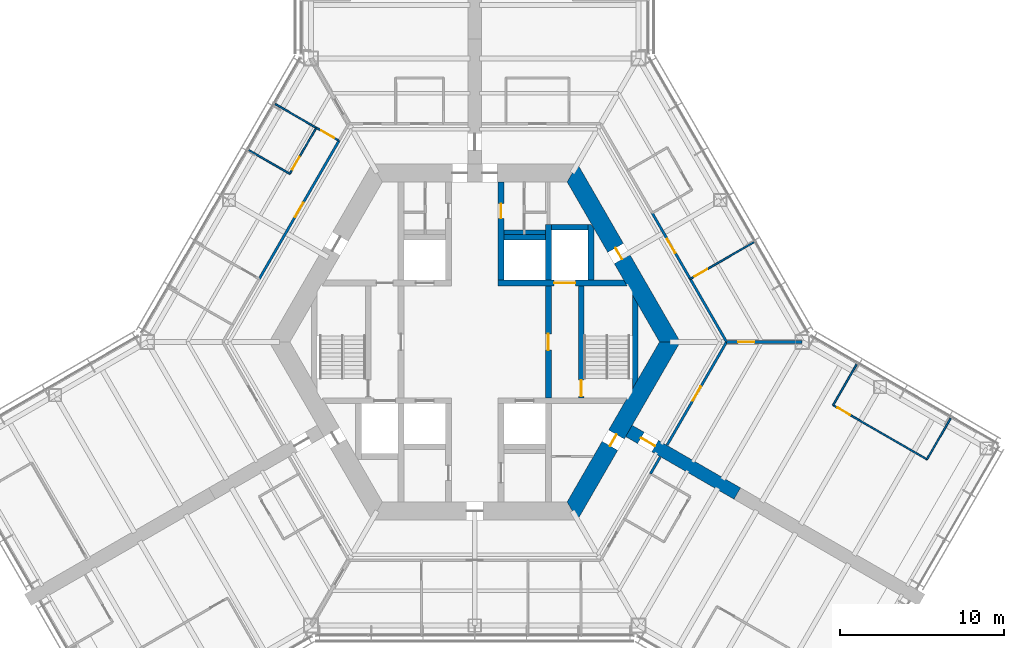
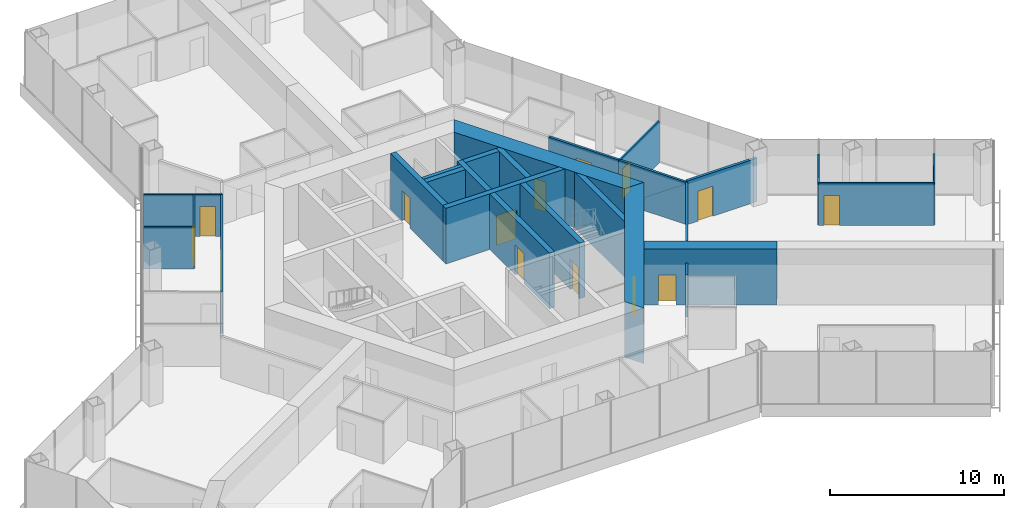
# One storey, part 14 of 19: 27 walls, 15 doors, 15 openings.
"""IFC4 building model written with IfcOpenShell, lengths in metres."""

from ifc_helpers import new_model, si_unit, direction, frame, frame_2d, origin, place, context, subcontext, project, spatial, polyline, rectangle, outline, extrude, material, layer, layer_set, type_object, element, fill, save


model = new_model("IFC4")

# Units and contexts
model_context = context("Model", 3, precision=1e-05, world=origin(), true_north=direction((0.0, 1.0)))
body_context = subcontext(model_context, "Body", "Model", "MODEL_VIEW")
ifc_project = project(units=[si_unit("LENGTHUNIT", "METRE"), si_unit("AREAUNIT", "SQUARE_METRE"), si_unit("VOLUMEUNIT", "CUBIC_METRE"), si_unit("PLANEANGLEUNIT", "RADIAN"), si_unit("MASSUNIT", "GRAM", prefix="KILO")], contexts=[model_context])

# Site, building, storey
site_placement = place(None, origin())
site = spatial("IfcSite", under=ifc_project, at=site_placement, CompositionType="ELEMENT")
building_placement = place(site_placement, origin())
building = spatial("IfcBuilding", under=site, at=building_placement, Name="Kasaneha Research Tower", CompositionType="ELEMENT")
storey_placement = place(building_placement, frame((0.0, 0.0, 92.39990234375)))
storey = spatial("IfcBuildingStorey", under=building, at=storey_placement, Name="L23", CompositionType="ELEMENT", Elevation=92.39990234375)

# Wall, opening, door
ifc_material_1 = material(Name="Concrete Fc80", Category="concrete")
ifc_layer_1 = layer(ifc_material_1, 0.35009765625)
ifc_layer_set_1 = layer_set([ifc_layer_1], Name="Core internal wall 350 Fc80")
wall_type_1 = type_object("IfcWallType", Name="Core internal wall 350 Fc80", PredefinedType="SHEAR", material=ifc_layer_set_1)
wall_1_placement = place(storey_placement, frame((1.425048828125, 3.60009765625, 0.0), z_axis=(0.0, 0.0, 1.0), x_axis=(1.0, 0.0, 0.0)))
wall_1 = element("IfcWall", 1, at=wall_1_placement, inside=storey, type_object=wall_type_1, Name="Core wall W1E L23", PredefinedType="SHEAR", context=body_context, shape_type="SweptSolid", body=[
    extrude(outline(polyline([(0.0, -0.175048828125), (3.425048828125, -0.175048828125), (4.72509765625, -0.175048828125), (7.884765625, -0.175048828125), (7.6826171875, 0.175048828125), (4.72509765625, 0.175048828125), (3.425048828125, 0.175048828125), (0.0, 0.175048828125), (0.0, -0.175048828125)])), origin(), (0.0, 0.0, 1.0), 3.900146484375),
])
opening_1_placement = place(wall_1_placement, frame((3.425048828125, 0.0, 0.0)))
opening_1 = element("IfcOpeningElement", 2, at=opening_1_placement, cuts=wall_1, Name="Opening LD-FL1-L23", PredefinedType="OPENING", context=body_context, shape_type="SweptSolid", body=[
    extrude(rectangle(XDim=1.300048828125, YDim=2.10009765625, at=frame_2d((0.64990234375, 1.050048828125))), frame((0.0, 0.18505859375, 0.0), z_axis=(0.0, -1.0, 0.0), x_axis=(1.0, 0.0, 0.0)), (0.0, 0.0, 1.0), 0.3701171875),
])
ifc_material_2 = material(Name="Steel", Category="steel")
door_type_1 = type_object("IfcDoorType", Name="Lift landing door 1300x2100", OperationType="DOUBLE_DOOR_SLIDING", PredefinedType="DOOR", material=ifc_material_2)
door_1_placement = place(opening_1_placement, origin())
door_1 = element("IfcDoor", 3, at=door_1_placement, inside=storey, type_object=door_type_1, Name="Landing door FL1 LD-FL1-L23", OperationType="DOUBLE_DOOR_SLIDING", OverallHeight=2.10009765625, OverallWidth=1.300048828125, PredefinedType="DOOR", context=body_context, shape_type="SweptSolid", body=[
    extrude(rectangle(XDim=1.300048828125, YDim=2.10009765625, at=frame_2d((0.64990234375, 1.050048828125))), frame((0.0, 0.02490234375, 0.0), z_axis=(0.0, -1.0, 0.0), x_axis=(1.0, 0.0, 0.0)), (0.0, 0.0, 1.0), 0.050048828125),
])
fill(opening_1, door_1)

wall_2_placement = place(storey_placement, frame((1.60009765625, 3.77490234375, 0.0), z_axis=(0.0, 0.0, 1.0), x_axis=(0.0, 1.0, 0.0)))
wall_2 = element("IfcWall", 4, at=wall_2_placement, inside=storey, type_object=wall_type_1, Name="Core wall CNE L23", PredefinedType="SHEAR", context=body_context, shape_type="SweptSolid", body=[
    extrude(rectangle(XDim=6.0, YDim=0.35009765625, at=frame_2d((3.0, 0.0))), origin(), (0.0, 0.0, 1.0), 3.900146484375),
])
opening_2_placement = place(wall_2_placement, frame((3.77490234375, 0.0, 0.0)))
opening_2 = element("IfcOpeningElement", 5, at=opening_2_placement, cuts=wall_2, Name="Opening L23-D14", PredefinedType="OPENING", context=body_context, shape_type="SweptSolid", body=[
    extrude(rectangle(XDim=0.89990234375, YDim=2.10009765625, at=frame_2d((0.449951171875, 1.050048828125))), frame((0.0, 0.18505859375, 0.0), z_axis=(0.0, -1.0, 0.0), x_axis=(1.0, 0.0, 0.0)), (0.0, 0.0, 1.0), 0.3701171875),
])
ifc_material_3 = material(Name="Steel", Category="steel")
door_type_2 = type_object("IfcDoorType", Name="Toilet door FD20 900x2100", OperationType="NOTDEFINED", PredefinedType="DOOR", material=ifc_material_3)
door_2_placement = place(opening_2_placement, origin())
door_2 = element("IfcDoor", 6, at=door_2_placement, inside=storey, type_object=door_type_2, Name="Women's WC door L23-D14", OperationType="SINGLE_SWING_LEFT", OverallHeight=2.10009765625, OverallWidth=0.89990234375, PredefinedType="DOOR", context=body_context, shape_type="SweptSolid", body=[
    extrude(rectangle(XDim=0.89990234375, YDim=2.10009765625, at=frame_2d((0.449951171875, 1.050048828125))), frame((0.0, 0.02490234375, 0.0), z_axis=(0.0, -1.0, 0.0), x_axis=(1.0, 0.0, 0.0)), (0.0, 0.0, 1.0), 0.050048828125),
])
fill(opening_2, door_2)

wall_3_placement = place(storey_placement, frame((4.5, -3.425048828125, 0.0), z_axis=(0.0, 0.0, 1.0), x_axis=(0.0, 1.0, 0.0)))
wall_3 = element("IfcWall", 7, at=wall_3_placement, inside=storey, type_object=wall_type_1, Name="Core wall LBE L23", PredefinedType="SHEAR", context=body_context, shape_type="SweptSolid", body=[
    extrude(rectangle(XDim=6.85009765625, YDim=0.35009765625, at=frame_2d((3.425048828125, 0.0))), origin(), (0.0, 0.0, 1.0), 3.900146484375),
])
opening_3_placement = place(wall_3_placement, frame((2.925048828125, 0.0, 0.0)))
opening_3 = element("IfcOpeningElement", 8, at=opening_3_placement, cuts=wall_3, Name="Opening L23-D08", PredefinedType="OPENING", context=body_context, shape_type="SweptSolid", body=[
    extrude(rectangle(XDim=1.0, YDim=2.10009765625, at=frame_2d((0.5, 1.050048828125))), frame((0.0, 0.18505859375, 0.0), z_axis=(0.0, -1.0, 0.0), x_axis=(1.0, 0.0, 0.0)), (0.0, 0.0, 1.0), 0.3701171875),
])
ifc_material_4 = material(Name="Steel", Category="steel")
door_type_3 = type_object("IfcDoorType", Name="Specified fire door FD60 1000x2100", OperationType="NOTDEFINED", PredefinedType="DOOR", material=ifc_material_4)
door_3_placement = place(opening_3_placement, origin())
door_3 = element("IfcDoor", 9, at=door_3_placement, inside=storey, type_object=door_type_3, Name="Lift lobby door east L23-D08", OperationType="SINGLE_SWING_LEFT", OverallHeight=2.10009765625, OverallWidth=1.0, PredefinedType="DOOR", context=body_context, shape_type="SweptSolid", body=[
    extrude(rectangle(XDim=1.0, YDim=2.10009765625, at=frame_2d((0.5, 1.050048828125))), frame((0.0, 0.02490234375, 0.0), z_axis=(0.0, -1.0, 0.0), x_axis=(1.0, 0.0, 0.0)), (0.0, 0.0, 1.0), 0.050048828125),
])
fill(opening_3, door_3)

wall_4_placement = place(storey_placement, frame((6.5, -3.425048828125, 0.0), z_axis=(0.0, 0.0, 1.0), x_axis=(0.0, 1.0, 0.0)))
wall_4 = element("IfcWall", 10, at=wall_4_placement, inside=storey, type_object=wall_type_1, Name="Core wall ANE L23", PredefinedType="SHEAR", context=body_context, shape_type="SweptSolid", body=[
    extrude(rectangle(XDim=6.85009765625, YDim=0.35009765625, at=frame_2d((3.425048828125, 0.0))), origin(), (0.0, 0.0, 1.0), 3.900146484375),
])
opening_4_placement = place(wall_4_placement, frame((0.10009765625, 0.0, 0.0)))
opening_4 = element("IfcOpeningElement", 11, at=opening_4_placement, cuts=wall_4, Name="Opening L23-D10", PredefinedType="OPENING", context=body_context, shape_type="SweptSolid", body=[
    extrude(rectangle(XDim=1.0, YDim=2.10009765625, at=frame_2d((0.5, 1.050048828125))), frame((0.0, 0.18505859375, 0.0), z_axis=(0.0, -1.0, 0.0), x_axis=(1.0, 0.0, 0.0)), (0.0, 0.0, 1.0), 0.3701171875),
])
door_4_placement = place(opening_4_placement, origin())
door_4 = element("IfcDoor", 12, at=door_4_placement, inside=storey, type_object=door_type_3, Name="Stair 1 door L23-D10", OperationType="SINGLE_SWING_LEFT", OverallHeight=2.10009765625, OverallWidth=1.0, PredefinedType="DOOR", context=body_context, shape_type="SweptSolid", body=[
    extrude(rectangle(XDim=1.0, YDim=2.10009765625, at=frame_2d((0.5, 1.050048828125))), frame((0.0, 0.02490234375, 0.0), z_axis=(0.0, -1.0, 0.0), x_axis=(1.0, 0.0, 0.0)), (0.0, 0.0, 1.0), 0.050048828125),
])
fill(opening_4, door_4)

# Walls
wall_5_placement = place(storey_placement, frame((4.5, 3.77490234375, 0.0), z_axis=(0.0, 0.0, 1.0), x_axis=(0.0, 1.0, 0.0)))
element("IfcWall", 13, at=wall_5_placement, inside=storey, type_object=wall_type_1, Name="Core wall FNE L23", PredefinedType="SHEAR", context=body_context, shape_type="SweptSolid", body=[
    extrude(rectangle(XDim=3.400146484375, YDim=0.35009765625, at=frame_2d((1.7001953125, 0.0))), origin(), (0.0, 0.0, 1.0), 3.900146484375),
])
wall_6_placement = place(storey_placement, frame((1.77490234375, 6.39990234375, 0.0), z_axis=(0.0, 0.0, 1.0), x_axis=(1.0, 0.0, 0.0)))
element("IfcWall", 14, at=wall_6_placement, inside=storey, type_object=wall_type_1, Name="Core wall N3N L23", PredefinedType="SHEAR", context=body_context, shape_type="SweptSolid", body=[
    extrude(rectangle(XDim=2.550048828125, YDim=0.35009765625, at=frame_2d((1.27490234375, 0.0))), origin(), (0.0, 0.0, 1.0), 3.900146484375),
])
wall_7_placement = place(storey_placement, frame((4.675048828125, 7.0, 0.0), z_axis=(0.0, 0.0, 1.0), x_axis=(1.0, 0.0, 0.0)))
element("IfcWall", 15, at=wall_7_placement, inside=storey, type_object=wall_type_1, Name="Core wall F1N L23", PredefinedType="SHEAR", context=body_context, shape_type="SweptSolid", body=[
    extrude(rectangle(XDim=2.25, YDim=0.35009765625, at=frame_2d((1.125, 0.0))), origin(), (0.0, 0.0, 1.0), 3.900146484375),
])
wall_8_placement = place(storey_placement, frame((7.10009765625, 3.77490234375, 0.0), z_axis=(0.0, 0.0, 1.0), x_axis=(0.0, 1.0, 0.0)))
element("IfcWall", 16, at=wall_8_placement, inside=storey, type_object=wall_type_1, Name="Core wall F1E L23", PredefinedType="SHEAR", context=body_context, shape_type="SweptSolid", body=[
    extrude(outline(polyline([(0.0, -0.175048828125), (3.174560546875, -0.175048828125), (3.400146484375, 0.0), (3.400146484375, 0.175048828125), (0.0, 0.175048828125), (0.0, -0.175048828125)])), origin(), (0.0, 0.0, 1.0), 3.900146484375),
])
wall_9_placement = place(storey_placement, frame((9.807861328125, -2.562255859375, 0.0), z_axis=(0.0, 0.0, 1.0), x_axis=(0.0, 1.0, 0.0)))
element("IfcWall", 17, at=wall_9_placement, inside=storey, type_object=wall_type_1, Name="Core wall STE L23", PredefinedType="SHEAR", context=body_context, shape_type="SweptSolid", body=[
    extrude(outline(polyline([(0.30322265625, -0.175048828125), (4.8212890625, -0.175048828125), (5.427734375, 0.175048828125), (-0.30322265625, 0.175048828125), (0.30322265625, -0.175048828125)])), origin(), (0.0, 0.0, 1.0), 3.900146484375),
])

# Wall, opening, door
ifc_material_5 = material(Name="Concrete Fc80", Category="concrete")
ifc_layer_2 = layer(ifc_material_5, 1.10009765625)
ifc_layer_set_2 = layer_set([ifc_layer_2], Name="Core wall 1100 Fc80")
wall_type_2 = type_object("IfcWallType", Name="Core wall 1100 Fc80", PredefinedType="SHEAR", material=ifc_layer_set_2)
wall_10_placement = place(storey_placement, frame((11.92236328125, 0.0, 0.0), z_axis=(0.0, 0.0, 1.0), x_axis=(-0.500004296715, 0.866022923061, 0.0)))
wall_10 = element("IfcWall", 18, at=wall_10_placement, inside=storey, type_object=wall_type_2, Name="Core wall 030 L23", PredefinedType="SHEAR", context=body_context, shape_type="SweptSolid", body=[
    extrude(outline(polyline([(-0.317626953125, -0.550048828125), (5.83544921875, -0.550048828125), (6.635498046875, -0.550048828125), (12.239990234375, -0.550048828125), (11.604736328125, 0.550048828125), (6.635498046875, 0.550048828125), (5.83544921875, 0.550048828125), (0.317626953125, 0.550048828125), (-0.317626953125, -0.550048828125)])), origin(), (0.0, 0.0, 1.0), 3.900146484375),
])
opening_5_placement = place(wall_10_placement, frame((5.83544921875, 0.0, 0.0)))
opening_5 = element("IfcOpeningElement", 19, at=opening_5_placement, cuts=wall_10, Name="Opening L23-D04", PredefinedType="OPENING", context=body_context, shape_type="SweptSolid", body=[
    extrude(rectangle(XDim=0.800048828125, YDim=2.10009765625, at=frame_2d((0.39990234375, 1.050048828125))), frame((0.0, 0.56005859375, 0.0), z_axis=(0.0, -1.0, 0.0), x_axis=(1.0, 0.0, 0.0)), (0.0, 0.0, 1.0), 1.1201171875),
])
ifc_material_6 = material(Name="Steel", Category="steel")
door_type_4 = type_object("IfcDoorType", Name="Riser access door FD60 800x2100", OperationType="NOTDEFINED", PredefinedType="DOOR", material=ifc_material_6)
door_5_placement = place(opening_5_placement, origin())
door_5 = element("IfcDoor", 20, at=door_5_placement, inside=storey, type_object=door_type_4, Name="Pipe riser door L23-D04", OperationType="SINGLE_SWING_RIGHT", OverallHeight=2.10009765625, OverallWidth=0.800048828125, PredefinedType="DOOR", context=body_context, shape_type="SweptSolid", body=[
    extrude(rectangle(XDim=0.800048828125, YDim=2.10009765625, at=frame_2d((0.39990234375, 1.050048828125))), frame((0.0, 0.02490234375, 0.0), z_axis=(0.0, -1.0, 0.0), x_axis=(1.0, 0.0, 0.0)), (0.0, 0.0, 1.0), 0.050048828125),
])
fill(opening_5, door_5)

wall_11_placement = place(storey_placement, frame((5.961181640625, -10.324951171875, 0.0), z_axis=(0.0, 0.0, 1.0), x_axis=(0.500004296715, 0.866022923061, 0.0)))
wall_11 = element("IfcWall", 21, at=wall_11_placement, inside=storey, type_object=wall_type_2, Name="Core wall 330 L23", PredefinedType="SHEAR", context=body_context, shape_type="SweptSolid", body=[
    extrude(outline(polyline([(-0.317626953125, -0.550048828125), (4.593994140625, -0.550048828125), (5.39404296875, -0.550048828125), (12.239990234375, -0.550048828125), (11.604736328125, 0.550048828125), (5.39404296875, 0.550048828125), (4.593994140625, 0.550048828125), (0.317626953125, 0.550048828125), (-0.317626953125, -0.550048828125)])), origin(), (0.0, 0.0, 1.0), 3.900146484375),
])
opening_6_placement = place(wall_11_placement, frame((4.593994140625, 0.0, 0.0)))
opening_6 = element("IfcOpeningElement", 22, at=opening_6_placement, cuts=wall_11, Name="Opening L23-D05", PredefinedType="OPENING", context=body_context, shape_type="SweptSolid", body=[
    extrude(rectangle(XDim=0.800048828125, YDim=2.10009765625, at=frame_2d((0.39990234375, 1.050048828125))), frame((0.0, 0.56005859375, 0.0), z_axis=(0.0, -1.0, 0.0), x_axis=(1.0, 0.0, 0.0)), (0.0, 0.0, 1.0), 1.1201171875),
])
door_6_placement = place(opening_6_placement, origin())
door_6 = element("IfcDoor", 23, at=door_6_placement, inside=storey, type_object=door_type_4, Name="Pipe riser door L23-D05", OperationType="SINGLE_SWING_LEFT", OverallHeight=2.10009765625, OverallWidth=0.800048828125, PredefinedType="DOOR", context=body_context, shape_type="SweptSolid", body=[
    extrude(rectangle(XDim=0.800048828125, YDim=2.10009765625, at=frame_2d((0.39990234375, 1.050048828125))), frame((0.0, 0.02490234375, 0.0), z_axis=(0.0, -1.0, 0.0), x_axis=(1.0, 0.0, 0.0)), (0.0, 0.0, 1.0), 0.050048828125),
])
fill(opening_6, door_6)

ifc_material_7 = material(Name="Gypsum board on steel studs, one layer each side", Category="steel")
ifc_layer_3 = layer(ifc_material_7, 0.10009765625)
ifc_layer_set_3 = layer_set([ifc_layer_3], Name="Office partition 100")
wall_type_3 = type_object("IfcWallType", Name="Office partition 100", PredefinedType="PARTITIONING", material=ifc_layer_set_3)
wall_12_placement = place(storey_placement, frame((13.165283203125, 3.84716796875, 0.0), z_axis=(0.0, 0.0, 1.0), x_axis=(0.865513030745, 0.500886407891, 0.0)))
wall_12 = element("IfcWall", 24, at=wall_12_placement, inside=storey, type_object=wall_type_3, Name="Office partition FAE14 L23", PredefinedType="PARTITIONING", context=body_context, shape_type="SweptSolid", body=[
    extrude(rectangle(XDim=4.495361328125, YDim=0.10009765625, at=frame_2d((2.24755859375, 0.0))), origin(), (0.0, 0.0, 1.0), 2.9501953125),
])
opening_7_placement = place(wall_12_placement, frame((0.300048828125, 0.0, 0.0)))
opening_7 = element("IfcOpeningElement", 25, at=opening_7_placement, cuts=wall_12, Name="Opening L23-D31", PredefinedType="OPENING", context=body_context, shape_type="SweptSolid", body=[
    extrude(rectangle(XDim=0.89990234375, YDim=2.10009765625, at=frame_2d((0.449951171875, 1.050048828125))), frame((0.0, 0.06005859375, 0.0), z_axis=(0.0, -1.0, 0.0), x_axis=(1.0, 0.0, 0.0)), (0.0, 0.0, 1.0), 0.1201171875),
])
ifc_material_8 = material(Name="Timber veneer", Category="wood")
door_type_5 = type_object("IfcDoorType", Name="Office door 900x2100", OperationType="SINGLE_SWING_LEFT", PredefinedType="DOOR", material=ifc_material_8)
door_7_placement = place(opening_7_placement, origin())
door_7 = element("IfcDoor", 26, at=door_7_placement, inside=storey, type_object=door_type_5, Name="Manager's office door L23-D31", OperationType="SINGLE_SWING_LEFT", OverallHeight=2.10009765625, OverallWidth=0.89990234375, PredefinedType="DOOR", context=body_context, shape_type="SweptSolid", body=[
    extrude(rectangle(XDim=0.89990234375, YDim=2.10009765625, at=frame_2d((0.449951171875, 1.050048828125))), frame((0.0, 0.02490234375, 0.0), z_axis=(0.0, -1.0, 0.0), x_axis=(1.0, 0.0, 0.0)), (0.0, 0.0, 1.0), 0.050048828125),
])
fill(opening_7, door_7)

# Walls
wall_13_placement = place(storey_placement, frame((-12.1865234375, 14.533203125, 0.0), z_axis=(0.0, 0.0, 1.0), x_axis=(0.865164881237, -0.501487515572, 0.0)))
element("IfcWall", 27, at=wall_13_placement, inside=storey, type_object=wall_type_3, Name="Office partition FBN06 L23", PredefinedType="PARTITIONING", context=body_context, shape_type="SweptSolid", body=[
    extrude(rectangle(XDim=2.900146484375, YDim=0.10009765625, at=frame_2d((1.4501953125, 0.0))), origin(), (0.0, 0.0, 1.0), 2.9501953125),
])
wall_14_placement = place(storey_placement, frame((-11.29833984375, 10.271728515625, 0.0), z_axis=(0.0, 0.0, 1.0), x_axis=(-0.866033125095, 0.499986626058, 0.0)))
element("IfcWall", 28, at=wall_14_placement, inside=storey, type_object=wall_type_3, Name="Office partition FBN07 L23", PredefinedType="PARTITIONING", context=body_context, shape_type="SweptSolid", body=[
    extrude(rectangle(XDim=2.8798828125, YDim=0.10009765625, at=frame_2d((1.43994140625, 0.0))), origin(), (0.0, 0.0, 1.0), 2.9501953125),
])

# Wall, opening, door
wall_15_placement = place(storey_placement, frame((-9.678955078125, 13.08544921875, 0.0), z_axis=(0.0, 0.0, 1.0), x_axis=(-0.498817248501, -0.866707189654, 0.0)))
wall_15 = element("IfcWall", 29, at=wall_15_placement, inside=storey, type_object=wall_type_3, Name="Office partition FBN08 L23", PredefinedType="PARTITIONING", context=body_context, shape_type="SweptSolid", body=[
    extrude(rectangle(XDim=3.246337890625, YDim=0.10009765625, at=frame_2d((1.623046875, 0.0))), origin(), (0.0, 0.0, 1.0), 2.9501953125),
])
opening_8_placement = place(wall_15_placement, frame((2.04638671875, 0.0, 0.0)))
opening_8 = element("IfcOpeningElement", 30, at=opening_8_placement, cuts=wall_15, Name="Opening L23-D41", PredefinedType="OPENING", context=body_context, shape_type="SweptSolid", body=[
    extrude(rectangle(XDim=0.89990234375, YDim=2.10009765625, at=frame_2d((0.449951171875, 1.050048828125))), frame((0.0, 0.06005859375, 0.0), z_axis=(0.0, -1.0, 0.0), x_axis=(1.0, 0.0, 0.0)), (0.0, 0.0, 1.0), 0.1201171875),
])
door_8_placement = place(opening_8_placement, origin())
door_8 = element("IfcDoor", 31, at=door_8_placement, inside=storey, type_object=door_type_5, Name="Interview room door L23-D41", OperationType="SINGLE_SWING_RIGHT", OverallHeight=2.10009765625, OverallWidth=0.89990234375, PredefinedType="DOOR", context=body_context, shape_type="SweptSolid", body=[
    extrude(rectangle(XDim=0.89990234375, YDim=2.10009765625, at=frame_2d((0.449951171875, 1.050048828125))), frame((0.0, 0.02490234375, 0.0), z_axis=(0.0, -1.0, 0.0), x_axis=(1.0, 0.0, 0.0)), (0.0, 0.0, 1.0), 0.050048828125),
])
fill(opening_8, door_8)

wall_16_placement = place(storey_placement, frame((-8.291015625, 12.289306640625, 0.0), z_axis=(0.0, 0.0, 1.0), x_axis=(-0.867425068062, 0.497567835875, 0.0)))
wall_16 = element("IfcWall", 32, at=wall_16_placement, inside=storey, type_object=wall_type_3, Name="Office partition FBN13 L23", PredefinedType="PARTITIONING", context=body_context, shape_type="SweptSolid", body=[
    extrude(rectangle(XDim=1.60009765625, YDim=0.10009765625, at=frame_2d((0.800048828125, 0.0))), origin(), (0.0, 0.0, 1.0), 2.9501953125),
])
opening_9_placement = place(wall_16_placement, frame((0.35009765625, 0.0, 0.0)))
opening_9 = element("IfcOpeningElement", 33, at=opening_9_placement, cuts=wall_16, Name="Opening L23-D44", PredefinedType="OPENING", context=body_context, shape_type="SweptSolid", body=[
    extrude(rectangle(XDim=0.89990234375, YDim=2.10009765625, at=frame_2d((0.449951171875, 1.050048828125))), frame((0.0, 0.06005859375, 0.0), z_axis=(0.0, -1.0, 0.0), x_axis=(1.0, 0.0, 0.0)), (0.0, 0.0, 1.0), 0.1201171875),
])
door_9_placement = place(opening_9_placement, origin())
door_9 = element("IfcDoor", 34, at=door_9_placement, inside=storey, type_object=door_type_5, Name="Workroom door L23-D44", OperationType="SINGLE_SWING_RIGHT", OverallHeight=2.10009765625, OverallWidth=0.89990234375, PredefinedType="DOOR", context=body_context, shape_type="SweptSolid", body=[
    extrude(rectangle(XDim=0.89990234375, YDim=2.10009765625, at=frame_2d((0.449951171875, 1.050048828125))), frame((0.0, 0.02490234375, 0.0), z_axis=(0.0, -1.0, 0.0), x_axis=(1.0, 0.0, 0.0)), (0.0, 0.0, 1.0), 0.050048828125),
])
fill(opening_9, door_9)

# Wall
wall_17_placement = place(storey_placement, frame((21.89208984375, -3.86376953125, 0.0), z_axis=(0.0, 0.0, 1.0), x_axis=(0.500050202324, 0.865996417519, 0.0)))
element("IfcWall", 35, at=wall_17_placement, inside=storey, type_object=wall_type_3, Name="Office partition FCE02 L23", PredefinedType="PARTITIONING", context=body_context, shape_type="SweptSolid", body=[
    extrude(rectangle(XDim=2.880126953125, YDim=0.10009765625, at=frame_2d((1.43994140625, 0.0))), origin(), (0.0, 0.0, 1.0), 2.9501953125),
])

# Wall, opening, door
wall_18_placement = place(storey_placement, frame((27.625, -7.173583984375, 0.0), z_axis=(0.0, 0.0, 1.0), x_axis=(-0.866030817826, 0.499990622488, 0.0)))
wall_18 = element("IfcWall", 36, at=wall_18_placement, inside=storey, type_object=wall_type_3, Name="Office partition FCE03 L23", PredefinedType="PARTITIONING", context=body_context, shape_type="SweptSolid", body=[
    extrude(rectangle(XDim=6.619873046875, YDim=0.10009765625, at=frame_2d((3.31005859375, 0.0))), origin(), (0.0, 0.0, 1.0), 2.9501953125),
])
opening_10_placement = place(wall_18_placement, frame((5.419677734375, 0.0, 0.0)))
opening_10 = element("IfcOpeningElement", 37, at=opening_10_placement, cuts=wall_18, Name="Opening L23-D50", PredefinedType="OPENING", context=body_context, shape_type="SweptSolid", body=[
    extrude(rectangle(XDim=0.89990234375, YDim=2.10009765625, at=frame_2d((0.449951171875, 1.050048828125))), frame((0.0, 0.06005859375, 0.0), z_axis=(0.0, -1.0, 0.0), x_axis=(1.0, 0.0, 0.0)), (0.0, 0.0, 1.0), 0.1201171875),
])
door_10_placement = place(opening_10_placement, origin())
door_10 = element("IfcDoor", 38, at=door_10_placement, inside=storey, type_object=door_type_5, Name="Reception room door L23-D50", OperationType="SINGLE_SWING_RIGHT", OverallHeight=2.10009765625, OverallWidth=0.89990234375, PredefinedType="DOOR", context=body_context, shape_type="SweptSolid", body=[
    extrude(rectangle(XDim=0.89990234375, YDim=2.10009765625, at=frame_2d((0.449951171875, 1.050048828125))), frame((0.0, 0.02490234375, 0.0), z_axis=(0.0, -1.0, 0.0), x_axis=(1.0, 0.0, 0.0)), (0.0, 0.0, 1.0), 0.050048828125),
])
fill(opening_10, door_10)

# Wall
wall_19_placement = place(storey_placement, frame((29.074951171875, -4.662109375, 0.0), z_axis=(0.0, 0.0, 1.0), x_axis=(-0.499987231761, -0.866032775405, 0.0)))
element("IfcWall", 39, at=wall_19_placement, inside=storey, type_object=wall_type_3, Name="Office partition FCE04 L23", PredefinedType="PARTITIONING", context=body_context, shape_type="SweptSolid", body=[
    extrude(rectangle(XDim=2.89990234375, YDim=0.10009765625, at=frame_2d((1.449951171875, 0.0))), origin(), (0.0, 0.0, 1.0), 2.9501953125),
])

# Wall, opening, door
ifc_material_9 = material(Name="Concrete Fc80", Category="concrete")
ifc_layer_4 = layer(ifc_material_9, 0.800048828125)
ifc_layer_set_4 = layer_set([ifc_layer_4], Name="Spine wall 800 Fc80")
wall_type_4 = type_object("IfcWallType", Name="Spine wall 800 Fc80", PredefinedType="SHEAR", material=ifc_layer_set_4)
wall_20_placement = place(storey_placement, frame((9.41796875, -5.4375, 0.0), z_axis=(0.0, 0.0, 1.0), x_axis=(0.866029782078, -0.499992416496, 0.0)))
wall_20 = element("IfcWall", 40, at=wall_20_placement, inside=storey, type_object=wall_type_4, Name="Spine wall C L23", PredefinedType="SHEAR", context=body_context, shape_type="SweptSolid", body=[
    extrude(rectangle(XDim=7.6455078125, YDim=0.800048828125, at=frame_2d((3.82275390625, 0.0))), origin(), (0.0, 0.0, 1.0), 3.900146484375),
])
opening_11_placement = place(wall_20_placement, frame((0.85009765625, 0.0, 0.0)))
opening_11 = element("IfcOpeningElement", 41, at=opening_11_placement, cuts=wall_20, Name="Opening L23-D19", PredefinedType="OPENING", context=body_context, shape_type="SweptSolid", body=[
    extrude(rectangle(XDim=1.0, YDim=2.10009765625, at=frame_2d((0.5, 1.050048828125))), frame((0.0, 0.41015625, 0.0), z_axis=(0.0, -1.0, 0.0), x_axis=(1.0, 0.0, 0.0)), (0.0, 0.0, 1.0), 0.820068359375),
])
door_11_placement = place(opening_11_placement, origin())
door_11 = element("IfcDoor", 42, at=door_11_placement, inside=storey, type_object=door_type_3, Name="Spine doorway C L23-D19", OperationType="SINGLE_SWING_LEFT", OverallHeight=2.10009765625, OverallWidth=1.0, PredefinedType="DOOR", context=body_context, shape_type="SweptSolid", body=[
    extrude(rectangle(XDim=1.0, YDim=2.10009765625, at=frame_2d((0.5, 1.050048828125))), frame((0.0, 0.02490234375, 0.0), z_axis=(0.0, -1.0, 0.0), x_axis=(1.0, 0.0, 0.0)), (0.0, 0.0, 1.0), 0.050048828125),
])
fill(opening_11, door_11)

# Wall
ifc_material_10 = material(Name="Gypsum board on steel studs, two layers each side", Category="steel")
ifc_layer_5 = layer(ifc_material_10, 0.14990234375)
ifc_layer_set_5 = layer_set([ifc_layer_5], Name="Suite partition 150")
wall_type_5 = type_object("IfcWallType", Name="Suite partition 150", PredefinedType="PARTITIONING", material=ifc_layer_set_5)
wall_21_placement = place(storey_placement, frame((13.160400390625, 3.85546875, 0.0), z_axis=(0.0, 0.0, 1.0), x_axis=(0.49999285859, -0.86602952684, 0.0)))
element("IfcWall", 43, at=wall_21_placement, inside=storey, type_object=wall_type_5, Name="Suite partition FAE03 L23", PredefinedType="PARTITIONING", context=body_context, shape_type="SweptSolid", body=[
    extrude(rectangle(XDim=4.4287109375, YDim=0.14990234375, at=frame_2d((2.21435546875, 0.0))), origin(), (0.0, 0.0, 1.0), 2.9501953125),
])

# Wall, opening, door
wall_22_placement = place(storey_placement, frame((10.837646484375, 7.87890625, 0.0), z_axis=(0.0, 0.0, 1.0), x_axis=(0.499985748238, -0.866033631887, 0.0)))
wall_22 = element("IfcWall", 44, at=wall_22_placement, inside=storey, type_object=wall_type_5, Name="Suite partition FAE07 L23", PredefinedType="PARTITIONING", context=body_context, shape_type="SweptSolid", body=[
    extrude(rectangle(XDim=4.655517578125, YDim=0.14990234375, at=frame_2d((2.32763671875, 0.0))), origin(), (0.0, 0.0, 1.0), 2.9501953125),
])
opening_12_placement = place(wall_22_placement, frame((1.82763671875, 0.0, 0.0)))
opening_12 = element("IfcOpeningElement", 45, at=opening_12_placement, cuts=wall_22, Name="Opening L23-D29", PredefinedType="OPENING", context=body_context, shape_type="SweptSolid", body=[
    extrude(rectangle(XDim=1.0, YDim=2.10009765625, at=frame_2d((0.5, 1.050048828125))), frame((0.0, 0.0849609375, 0.0), z_axis=(0.0, -1.0, 0.0), x_axis=(1.0, 0.0, 0.0)), (0.0, 0.0, 1.0), 0.169921875),
])
ifc_material_11 = material(Name="Steel", Category="steel")
door_type_6 = type_object("IfcDoorType", Name="Suite entrance door FD60 1000x2100", OperationType="NOTDEFINED", PredefinedType="DOOR", material=ifc_material_11)
door_12_placement = place(opening_12_placement, origin())
door_12 = element("IfcDoor", 46, at=door_12_placement, inside=storey, type_object=door_type_6, Name="Suite entrance door L23-D29", OperationType="SINGLE_SWING_LEFT", OverallHeight=2.10009765625, OverallWidth=1.0, PredefinedType="DOOR", context=body_context, shape_type="SweptSolid", body=[
    extrude(rectangle(XDim=1.0, YDim=2.10009765625, at=frame_2d((0.5, 1.050048828125))), frame((0.0, 0.02490234375, 0.0), z_axis=(0.0, -1.0, 0.0), x_axis=(1.0, 0.0, 0.0)), (0.0, 0.0, 1.0), 0.050048828125),
])
fill(opening_12, door_12)

wall_23_placement = place(storey_placement, frame((-13.165283203125, 3.84716796875, 0.0), z_axis=(0.0, 0.0, 1.0), x_axis=(0.500015121375, 0.866016673279, 0.0)))
wall_23 = element("IfcWall", 47, at=wall_23_placement, inside=storey, type_object=wall_type_5, Name="Suite partition FBN05 L23", PredefinedType="PARTITIONING", context=body_context, shape_type="SweptSolid", body=[
    extrude(rectangle(XDim=9.748291015625, YDim=0.14990234375, at=frame_2d((4.8740234375, 0.0))), origin(), (0.0, 0.0, 1.0), 2.9501953125),
])
opening_13_placement = place(wall_23_placement, frame((4.3740234375, 0.0, 0.0)))
opening_13 = element("IfcOpeningElement", 48, at=opening_13_placement, cuts=wall_23, Name="Opening L23-D40", PredefinedType="OPENING", context=body_context, shape_type="SweptSolid", body=[
    extrude(rectangle(XDim=1.0, YDim=2.10009765625, at=frame_2d((0.5, 1.050048828125))), frame((0.0, 0.0849609375, 0.0), z_axis=(0.0, -1.0, 0.0), x_axis=(1.0, 0.0, 0.0)), (0.0, 0.0, 1.0), 0.169921875),
])
door_13_placement = place(opening_13_placement, origin())
door_13 = element("IfcDoor", 49, at=door_13_placement, inside=storey, type_object=door_type_6, Name="Suite entrance door L23-D40", OperationType="SINGLE_SWING_LEFT", OverallHeight=2.10009765625, OverallWidth=1.0, PredefinedType="DOOR", context=body_context, shape_type="SweptSolid", body=[
    extrude(rectangle(XDim=1.0, YDim=2.10009765625, at=frame_2d((0.5, 1.050048828125))), frame((0.0, 0.02490234375, 0.0), z_axis=(0.0, -1.0, 0.0), x_axis=(1.0, 0.0, 0.0)), (0.0, 0.0, 1.0), 0.050048828125),
])
fill(opening_13, door_13)

wall_24_placement = place(storey_placement, frame((15.374755859375, -0.02001953125, 0.0), z_axis=(0.0, 0.0, 1.0), x_axis=(-0.499992569217, -0.866029693906, 0.0)))
wall_24 = element("IfcWall", 50, at=wall_24_placement, inside=storey, type_object=wall_type_5, Name="Suite partition FCE01 L23", PredefinedType="PARTITIONING", context=body_context, shape_type="SweptSolid", body=[
    extrude(rectangle(XDim=7.25, YDim=0.14990234375, at=frame_2d((3.625, 0.0))), origin(), (0.0, 0.0, 1.0), 2.9501953125),
])
opening_14_placement = place(wall_24_placement, frame((3.125, 0.0, 0.0)))
opening_14 = element("IfcOpeningElement", 51, at=opening_14_placement, cuts=wall_24, Name="Opening L23-D49", PredefinedType="OPENING", context=body_context, shape_type="SweptSolid", body=[
    extrude(rectangle(XDim=1.0, YDim=2.10009765625, at=frame_2d((0.5, 1.050048828125))), frame((0.0, 0.0849609375, 0.0), z_axis=(0.0, -1.0, 0.0), x_axis=(1.0, 0.0, 0.0)), (0.0, 0.0, 1.0), 0.169921875),
])
door_14_placement = place(opening_14_placement, origin())
door_14 = element("IfcDoor", 52, at=door_14_placement, inside=storey, type_object=door_type_6, Name="Suite entrance door L23-D49", OperationType="SINGLE_SWING_RIGHT", OverallHeight=2.10009765625, OverallWidth=1.0, PredefinedType="DOOR", context=body_context, shape_type="SweptSolid", body=[
    extrude(rectangle(XDim=1.0, YDim=2.10009765625, at=frame_2d((0.5, 1.050048828125))), frame((0.0, 0.02490234375, 0.0), z_axis=(0.0, -1.0, 0.0), x_axis=(1.0, 0.0, 0.0)), (0.0, 0.0, 1.0), 0.050048828125),
])
fill(opening_14, door_14)

# Wall
wall_25_placement = place(storey_placement, frame((11.329833984375, -7.026123046875, 0.0), z_axis=(0.0, 0.0, 1.0), x_axis=(-0.499996007168, -0.866027709035, 0.0)))
element("IfcWall", 53, at=wall_25_placement, inside=storey, type_object=wall_type_5, Name="Suite partition FCS06 L23", PredefinedType="PARTITIONING", context=body_context, shape_type="SweptSolid", body=[
    extrude(rectangle(XDim=1.1845703125, YDim=0.14990234375, at=frame_2d((0.59228515625, 0.0))), origin(), (0.0, 0.0, 1.0), 2.9501953125),
])

# Wall, opening, door
ifc_material_12 = material(Name="Gypsum board on steel studs, two layers each side", Category="steel")
ifc_layer_6 = layer(ifc_material_12, 0.175048828125)
ifc_layer_set_6 = layer_set([ifc_layer_6], Name="Tenancy fire partition 175")
wall_type_6 = type_object("IfcWallType", Name="Tenancy fire partition 175", PredefinedType="PARTITIONING", material=ifc_layer_set_6)
wall_26_placement = place(storey_placement, frame((15.386474609375, 0.0, 0.0), z_axis=(0.0, 0.0, 1.0), x_axis=(1.0, 0.0, 0.0)))
wall_26 = element("IfcWall", 54, at=wall_26_placement, inside=storey, type_object=wall_type_6, Name="Tenancy fire partition T000 L23", PredefinedType="PARTITIONING", context=body_context, shape_type="SweptSolid", body=[
    extrude(rectangle(XDim=4.613525390625, YDim=0.175048828125, at=frame_2d((2.306640625, 0.0))), origin(), (0.0, 0.0, 1.0), 3.050048828125),
])
opening_15_placement = place(wall_26_placement, frame((0.699951171875, 0.0, 0.0)))
opening_15 = element("IfcOpeningElement", 55, at=opening_15_placement, cuts=wall_26, Name="Opening L23-D25", PredefinedType="OPENING", context=body_context, shape_type="SweptSolid", body=[
    extrude(rectangle(XDim=1.0, YDim=2.10009765625, at=frame_2d((0.5, 1.050048828125))), frame((0.0, 0.09765625, 0.0), z_axis=(0.0, -1.0, 0.0), x_axis=(1.0, 0.0, 0.0)), (0.0, 0.0, 1.0), 0.195068359375),
])
door_15_placement = place(opening_15_placement, origin())
door_15 = element("IfcDoor", 56, at=door_15_placement, inside=storey, type_object=door_type_6, Name="Connecting door L23-D25", OperationType="SINGLE_SWING_LEFT", OverallHeight=2.10009765625, OverallWidth=1.0, PredefinedType="DOOR", context=body_context, shape_type="SweptSolid", body=[
    extrude(rectangle(XDim=1.0, YDim=2.10009765625, at=frame_2d((0.5, 1.050048828125))), frame((0.0, 0.02490234375, 0.0), z_axis=(0.0, -1.0, 0.0), x_axis=(1.0, 0.0, 0.0)), (0.0, 0.0, 1.0), 0.050048828125),
])
fill(opening_15, door_15)

# Wall
ifc_material_13 = material(Name="Concrete block lining", Category="concrete")
ifc_layer_7 = layer(ifc_material_13, 0.25)
ifc_layer_set_7 = layer_set([ifc_layer_7], Name="WC plumbing wall 250")
wall_type_7 = type_object("IfcWallType", Name="WC plumbing wall 250", PredefinedType="PLUMBINGWALL", material=ifc_layer_set_7)
wall_27_placement = place(storey_placement, frame((1.77490234375, 6.699951171875, 0.0), z_axis=(0.0, 0.0, 1.0), x_axis=(1.0, 0.0, 0.0)))
element("IfcWall", 57, at=wall_27_placement, inside=storey, type_object=wall_type_7, Name="WC plumbing wall F L23", PredefinedType="PLUMBINGWALL", context=body_context, shape_type="SweptSolid", body=[
    extrude(rectangle(XDim=2.550048828125, YDim=0.25, at=frame_2d((1.27490234375, 0.0))), origin(), (0.0, 0.0, 1.0), 3.900146484375),
])

save(model, "model.ifc")
